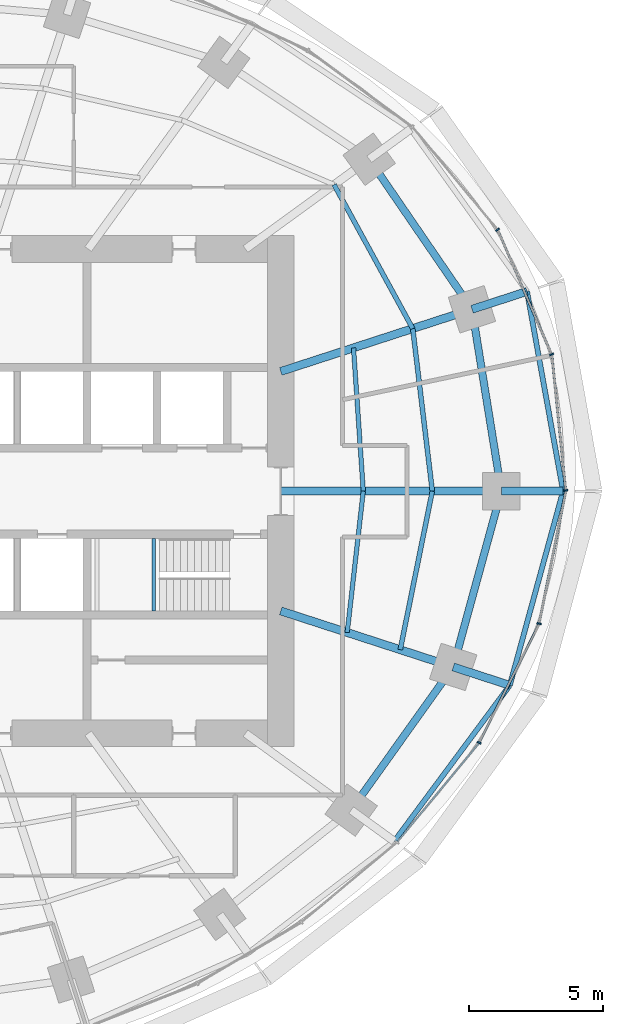
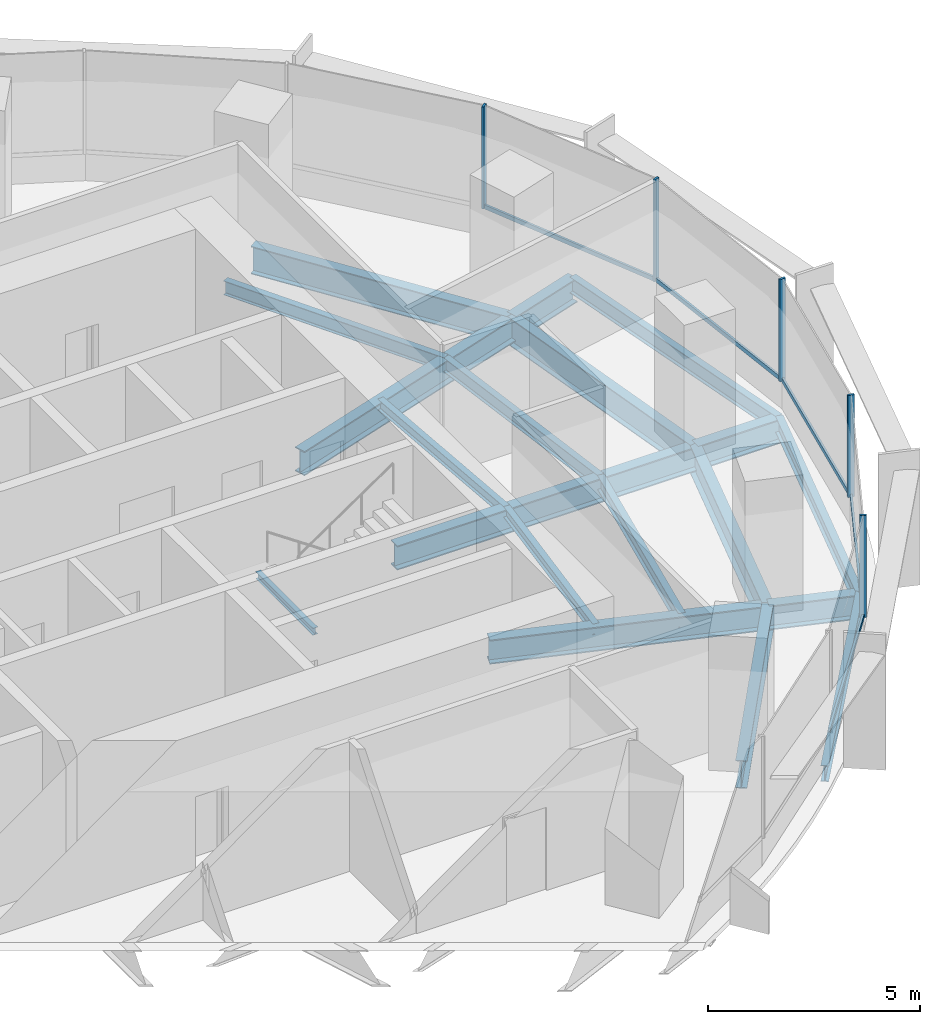
# One storey, part 6 of 15: 19 beams, 10 members, 2 elements without a shape of their own.
"""IFC4 building model written with IfcOpenShell, lengths in metres."""

from ifc_helpers import new_model, si_unit, direction, frame, origin, origin_2d, place, context, subcontext, project, spatial, rectangle, i_section, extrude, material, material_profile, profile_set, type_object, element, aggregate, save


model = new_model("IFC4")

# Units and contexts
model_context = context("Model", 3, precision=1e-05, world=origin(), true_north=direction((0.0, 1.0)))
body_context = subcontext(model_context, "Body", "Model", "MODEL_VIEW")
ifc_project = project(units=[si_unit("LENGTHUNIT", "METRE"), si_unit("AREAUNIT", "SQUARE_METRE"), si_unit("VOLUMEUNIT", "CUBIC_METRE"), si_unit("PLANEANGLEUNIT", "RADIAN"), si_unit("MASSUNIT", "GRAM", prefix="KILO")], contexts=[model_context])

# Site, building, storey
site_placement = place(None, origin())
site = spatial("IfcSite", under=ifc_project, at=site_placement, CompositionType="ELEMENT")
building_placement = place(site_placement, origin())
building = spatial("IfcBuilding", under=site, at=building_placement, Name="Marramba Exchange Tower", CompositionType="ELEMENT")
storey_placement = place(building_placement, frame((0.0, 0.0, 226.699951171875)))
storey = spatial("IfcBuildingStorey", under=building, at=storey_placement, Name="L55", CompositionType="ELEMENT", Elevation=226.699951171875)

# Beams
ifc_material_1 = material(Name="Steel AS/NZS 3679.2 grade 300", Category="steel")
ifc_material_profile_1 = material_profile(ifc_material_1, i_section(OverallWidth=0.300048828125, OverallDepth=0.699951171875, WebThickness=0.010009765625, FlangeThickness=0.031982421875, at=origin_2d()), Name="700WB173")
ifc_profile_set_1 = profile_set([ifc_material_profile_1], Name="Steel AS/NZS 3679.2 grade 300")
beam_type_1 = type_object("IfcBeamType", Name="Cantilever girder 700WB173", PredefinedType="BEAM", material=ifc_profile_set_1)
beam_1_placement = place(storey_placement, frame((21.89990234375, 0.0, -0.510009765625), z_axis=(1.0, 0.0, 0.0), x_axis=(0.0, 1.0, 0.0)))
element("IfcBeam", 1, at=beam_1_placement, inside=storey, type_object=beam_type_1, Name="Cantilever girder L55 TC01", PredefinedType="BEAM", context=body_context, shape_type="SweptSolid", body=[
    extrude(i_section(OverallWidth=0.300048828125, OverallDepth=0.699951171875, WebThickness=0.010009765625, FlangeThickness=0.031982421875, at=origin_2d()), origin(), (0.0, 0.0, 1.0), 2.294189453125),
])
beam_2_placement = place(storey_placement, frame((20.808349609375, 6.760986328125, -0.510009765625), z_axis=(0.951051587859, 0.309032162129, 0.0), x_axis=(-0.309032162129, 0.951051587859, 0.0)))
element("IfcBeam", 2, at=beam_2_placement, inside=storey, type_object=beam_type_1, Name="Cantilever girder L55 TC02", PredefinedType="BEAM", context=body_context, shape_type="SweptSolid", body=[
    extrude(i_section(OverallWidth=0.300048828125, OverallDepth=0.699951171875, WebThickness=0.010009765625, FlangeThickness=0.031982421875, at=origin_2d()), origin(), (0.0, 0.0, 1.0), 2.150390625),
])
beam_3_placement = place(storey_placement, frame((20.109375, -6.533935546875, -0.510009765625), z_axis=(0.951050283347, -0.309036176758, 0.0), x_axis=(0.309036176758, 0.951050283347, 0.0)))
element("IfcBeam", 3, at=beam_3_placement, inside=storey, type_object=beam_type_1, Name="Cantilever girder L55 TC20", PredefinedType="BEAM", context=body_context, shape_type="SweptSolid", body=[
    extrude(i_section(OverallWidth=0.300048828125, OverallDepth=0.699951171875, WebThickness=0.010009765625, FlangeThickness=0.031982421875, at=origin_2d()), origin(), (0.0, 0.0, 1.0), 2.212890625),
])
ifc_material_2 = material(Name="Steel AS/NZS 3679.1 grade 300", Category="steel")
ifc_material_profile_2 = material_profile(ifc_material_2, i_section(OverallWidth=0.166015625, OverallDepth=0.306884765625, WebThickness=0.006591796875, FlangeThickness=0.01171875, FilletRadius=0.011474609375, at=origin_2d()), Name="310UB46.2")
ifc_profile_set_2 = profile_set([ifc_material_profile_2], Name="Steel AS/NZS 3679.1 grade 300")
beam_type_2 = type_object("IfcBeamType", Name="Floor joist 310UB46.2", PredefinedType="JOIST", material=ifc_profile_set_2)
beam_4_placement = place(storey_placement, frame((16.7666015625, 0.0, -0.3134765625), z_axis=(-0.068096259546, 0.99767875563, 0.0), x_axis=(-0.99767875563, -0.068096259546, 0.0)))
element("IfcBeam", 4, at=beam_4_placement, inside=storey, type_object=beam_type_2, Name="Joist L55 bay 01 row 1", PredefinedType="JOIST", context=body_context, shape_type="SweptSolid", body=[
    extrude(i_section(OverallWidth=0.166015625, OverallDepth=0.306884765625, WebThickness=0.006591796875, FlangeThickness=0.01171875, FilletRadius=0.011474609375, at=origin_2d()), origin(), (0.0, 0.0, 1.0), 5.342041015625),
])
beam_5_placement = place(storey_placement, frame((16.169677734375, -5.25390625, -0.3134765625), z_axis=(0.112888968594, 0.993607609054, 0.0), x_axis=(-0.993607609054, 0.112888968594, 0.0)))
element("IfcBeam", 5, at=beam_5_placement, inside=storey, type_object=beam_type_2, Name="Joist L55 bay 20 row 1", PredefinedType="JOIST", context=body_context, shape_type="SweptSolid", body=[
    extrude(i_section(OverallWidth=0.166015625, OverallDepth=0.306884765625, WebThickness=0.006591796875, FlangeThickness=0.01171875, FilletRadius=0.011474609375, at=origin_2d()), origin(), (0.0, 0.0, 1.0), 5.28759765625),
])
ifc_material_profile_3 = material_profile(ifc_material_2, i_section(OverallWidth=0.177978515625, OverallDepth=0.406005859375, WebThickness=0.0078125, FlangeThickness=0.0126953125, FilletRadius=0.011474609375, at=origin_2d()), Name="410UB59.7")
ifc_profile_set_3 = profile_set([ifc_material_profile_3], Name="Steel AS/NZS 3679.1 grade 300")
beam_type_3 = type_object("IfcBeamType", Name="Floor joist 410UB59.7", PredefinedType="JOIST", material=ifc_profile_set_3)
beam_6_placement = place(storey_placement, frame((19.333251953125, 0.0, -0.363037109375), z_axis=(-0.119523078538, 0.992831422597, 0.0), x_axis=(-0.992831422597, -0.119523078538, 0.0)))
element("IfcBeam", 6, at=beam_6_placement, inside=storey, type_object=beam_type_3, Name="Joist L55 bay 01 row 2", PredefinedType="JOIST", context=body_context, shape_type="SweptSolid", body=[
    extrude(i_section(OverallWidth=0.177978515625, OverallDepth=0.406005859375, WebThickness=0.0078125, FlangeThickness=0.0126953125, FilletRadius=0.011474609375, at=origin_2d()), origin(), (0.0, 0.0, 1.0), 6.089111328125),
])
beam_7_placement = place(storey_placement, frame((18.60546875, 6.04541015625, -0.363037109375), z_axis=(-0.479584443791, 0.877495732909, 0.0), x_axis=(-0.877495732909, -0.479584443791, 0.0)))
element("IfcBeam", 7, at=beam_7_placement, inside=storey, type_object=beam_type_3, Name="Joist L55 bay 02 row 2", PredefinedType="JOIST", context=body_context, shape_type="SweptSolid", body=[
    extrude(i_section(OverallWidth=0.177978515625, OverallDepth=0.406005859375, WebThickness=0.0078125, FlangeThickness=0.0126953125, FilletRadius=0.011474609375, at=origin_2d()), origin(), (0.0, 0.0, 1.0), 6.094970703125),
])
beam_8_placement = place(storey_placement, frame((18.1396484375, -5.893798828125, -0.363037109375), z_axis=(0.198489047047, 0.980103105904, 0.0), x_axis=(-0.980103105904, 0.198489047047, 0.0)))
element("IfcBeam", 8, at=beam_8_placement, inside=storey, type_object=beam_type_3, Name="Joist L55 bay 20 row 2", PredefinedType="JOIST", context=body_context, shape_type="SweptSolid", body=[
    extrude(i_section(OverallWidth=0.177978515625, OverallDepth=0.406005859375, WebThickness=0.0078125, FlangeThickness=0.0126953125, FilletRadius=0.011474609375, at=origin_2d()), origin(), (0.0, 0.0, 1.0), 6.013427734375),
])

# Curtain wall, members
ifc_material_3 = material(Name="Aluminium framing, bronze anodised", Category="aluminium")
curtain_wall_type = type_object("IfcCurtainWallType", Name="Office ribbon curtain wall", PredefinedType="USERDEFINED", material=ifc_material_3)
curtain_wall_1_placement = place(storey_placement, origin())
curtain_wall_1 = element("IfcCurtainWall", 9, at=curtain_wall_1_placement, inside=storey, type_object=curtain_wall_type, Name="Curtain wall CW4 L55 F01-F05", ObjectType="RIBBON CURTAIN WALL", PredefinedType="USERDEFINED")
ifc_material_4 = material(Name="Aluminium mullion, bronze anodised", Category="aluminium")
ifc_material_profile_4 = material_profile(ifc_material_4, rectangle(XDim=0.159912109375, YDim=0.06005859375, at=origin_2d()), Name="CW4 mullion 60x160")
ifc_profile_set_4 = profile_set([ifc_material_profile_4], Name="Aluminium mullion, bronze anodised")
member_type_1 = type_object("IfcMemberType", Name="Office ribbon curtain wall mullion", PredefinedType="MULLION", material=ifc_profile_set_4)
member_1_placement = place(storey_placement, frame((24.291015625, 0.02978515625, 0.800048828125), z_axis=(0.0, 0.0, 1.0), x_axis=(-0.994843446001, -0.101422472607, 0.0)))
member_1 = element("IfcMember", 10, at=member_1_placement, type_object=member_type_1, Name="CW4 mullion 1", PredefinedType="MULLION", context=body_context, shape_type="SweptSolid", body=[
    extrude(rectangle(XDim=0.159912109375, YDim=0.06005859375, at=origin_2d()), origin(), (0.0, 0.0, 1.0), 2.93994140625),
])
member_2_placement = place(storey_placement, frame((23.766845703125, 5.081787109375, 0.800048828125), z_axis=(0.0, 0.0, 1.0), x_axis=(-0.918167104527, -0.396193346946, 0.0)))
member_2 = element("IfcMember", 11, at=member_2_placement, type_object=member_type_1, Name="CW4 mullion 1", PredefinedType="MULLION", context=body_context, shape_type="SweptSolid", body=[
    extrude(rectangle(XDim=0.159912109375, YDim=0.06005859375, at=origin_2d()), origin(), (0.0, 0.0, 1.0), 2.93994140625),
])
member_3_placement = place(storey_placement, frame((21.757080078125, 9.718505859375, 0.800048828125), z_axis=(0.0, 0.0, 1.0), x_axis=(-0.770574258342, -0.637350227411, 0.0)))
member_3 = element("IfcMember", 12, at=member_3_placement, type_object=member_type_1, Name="CW4 mullion 1", PredefinedType="MULLION", context=body_context, shape_type="SweptSolid", body=[
    extrude(rectangle(XDim=0.159912109375, YDim=0.06005859375, at=origin_2d()), origin(), (0.0, 0.0, 1.0), 2.93994140625),
])

curtain_wall_2_placement = place(storey_placement, origin())
curtain_wall_2 = element("IfcCurtainWall", 13, at=curtain_wall_2_placement, inside=storey, type_object=curtain_wall_type, Name="Curtain wall CW4 L55 F26-F30", ObjectType="RIBBON CURTAIN WALL", PredefinedType="USERDEFINED")
member_4_placement = place(storey_placement, frame((21.07568359375, -9.3505859375, 0.800048828125), z_axis=(0.0, 0.0, 1.0), x_axis=(-0.892689067591, 0.450673083956, 0.0)))
member_4 = element("IfcMember", 14, at=member_4_placement, type_object=member_type_1, Name="CW4 mullion 1", PredefinedType="MULLION", context=body_context, shape_type="SweptSolid", body=[
    extrude(rectangle(XDim=0.159912109375, YDim=0.06005859375, at=origin_2d()), origin(), (0.0, 0.0, 1.0), 2.93994140625),
])
member_5_placement = place(storey_placement, frame((23.30224609375, -4.92236328125, 0.800048828125), z_axis=(0.0, 0.0, 1.0), x_axis=(-0.980303812539, 0.197495405316, 0.0)))
member_5 = element("IfcMember", 15, at=member_5_placement, type_object=member_type_1, Name="CW4 mullion 1", PredefinedType="MULLION", context=body_context, shape_type="SweptSolid", body=[
    extrude(rectangle(XDim=0.159912109375, YDim=0.06005859375, at=origin_2d()), origin(), (0.0, 0.0, 1.0), 2.93994140625),
])

# Member
ifc_material_5 = material(Name="Aluminium transom, bronze anodised", Category="aluminium")
ifc_material_profile_5 = material_profile(ifc_material_5, rectangle(XDim=0.06005859375, YDim=0.1201171875, at=origin_2d()), Name="CW4 transom 60x120")
ifc_profile_set_5 = profile_set([ifc_material_profile_5], Name="Aluminium transom, bronze anodised")
member_type_2 = type_object("IfcMemberType", Name="Office ribbon curtain wall transom", PredefinedType="USERDEFINED", material=ifc_profile_set_5)
member_6_placement = place(storey_placement, frame((24.287841796875, 0.0595703125, 0.830078125), z_axis=(-0.101386007846, 0.994847162841, 0.0), x_axis=(-0.994847162841, -0.101386007846, 0.0)))
member_6 = element("IfcMember", 16, at=member_6_placement, type_object=member_type_2, Name="CW4 sill transom", ObjectType="TRANSOM", PredefinedType="USERDEFINED", context=body_context, shape_type="SweptSolid", body=[
    extrude(rectangle(XDim=0.06005859375, YDim=0.1201171875, at=origin_2d()), origin(), (0.0, 0.0, 1.0), 5.020751953125),
])

member_7_placement = place(storey_placement, frame((23.7548828125, 5.109375, 0.830078125), z_axis=(-0.396177573744, 0.918173910576, 0.0), x_axis=(-0.918173910576, -0.396177573744, 0.0)))
member_7 = element("IfcMember", 17, at=member_7_placement, type_object=member_type_2, Name="CW4 sill transom", ObjectType="TRANSOM", PredefinedType="USERDEFINED", context=body_context, shape_type="SweptSolid", body=[
    extrude(rectangle(XDim=0.06005859375, YDim=0.1201171875, at=origin_2d()), origin(), (0.0, 0.0, 1.0), 4.99462890625),
])

aggregate(curtain_wall_1, [member_1, member_6, member_2, member_7, member_3])

member_8_placement = place(storey_placement, frame((18.03515625, -13.029296875, 0.830078125), z_axis=(0.638146908901, 0.76991462037, 0.0), x_axis=(-0.76991462037, 0.638146908901, 0.0)))
member_8 = element("IfcMember", 18, at=member_8_placement, type_object=member_type_2, Name="CW4 sill transom", ObjectType="TRANSOM", PredefinedType="USERDEFINED", context=body_context, shape_type="SweptSolid", body=[
    extrude(rectangle(XDim=0.06005859375, YDim=0.1201171875, at=origin_2d()), origin(), (0.0, 0.0, 1.0), 4.7431640625),
])

member_9_placement = place(storey_placement, frame((21.089111328125, -9.323974609375, 0.830078125), z_axis=(0.450679681949, 0.892685736572, 0.0), x_axis=(-0.892685736572, 0.450679681949, 0.0)))
member_9 = element("IfcMember", 19, at=member_9_placement, type_object=member_type_2, Name="CW4 sill transom", ObjectType="TRANSOM", PredefinedType="USERDEFINED", context=body_context, shape_type="SweptSolid", body=[
    extrude(rectangle(XDim=0.06005859375, YDim=0.1201171875, at=origin_2d()), origin(), (0.0, 0.0, 1.0), 4.897705078125),
])

member_10_placement = place(storey_placement, frame((23.308349609375, -4.89306640625, 0.830078125), z_axis=(0.197461053167, 0.980310732616, 0.0), x_axis=(-0.980310732616, 0.197461053167, 0.0)))
member_10 = element("IfcMember", 20, at=member_10_placement, type_object=member_type_2, Name="CW4 sill transom", ObjectType="TRANSOM", PredefinedType="USERDEFINED", context=body_context, shape_type="SweptSolid", body=[
    extrude(rectangle(XDim=0.06005859375, YDim=0.1201171875, at=origin_2d()), origin(), (0.0, 0.0, 1.0), 4.991455078125),
])

aggregate(curtain_wall_2, [member_8, member_4, member_9, member_5, member_10])

# Beams
ifc_material_profile_6 = material_profile(ifc_material_1, i_section(OverallWidth=0.300048828125, OverallDepth=0.699951171875, WebThickness=0.010009765625, FlangeThickness=0.031982421875, at=origin_2d()), Name="700WB173")
ifc_profile_set_6 = profile_set([ifc_material_profile_6], Name="Steel AS/NZS 3679.2 grade 300")
beam_type_4 = type_object("IfcBeamType", Name="Radial girder 700WB173", PredefinedType="BEAM", material=ifc_profile_set_6)
beam_9_placement = place(storey_placement, frame((13.699951171875, 0.0, -0.510009765625), z_axis=(1.0, 0.0, 0.0), x_axis=(0.0, 1.0, 0.0)))
element("IfcBeam", 21, at=beam_9_placement, inside=storey, type_object=beam_type_4, Name="Radial girder L55 TC01", PredefinedType="BEAM", context=body_context, shape_type="SweptSolid", body=[
    extrude(i_section(OverallWidth=0.300048828125, OverallDepth=0.699951171875, WebThickness=0.010009765625, FlangeThickness=0.031982421875, at=origin_2d()), origin(), (0.0, 0.0, 1.0), 8.199951171875),
])
beam_10_placement = place(storey_placement, frame((13.699951171875, 4.451416015625, -0.510009765625), z_axis=(0.951059990189, 0.309006302624, 0.0), x_axis=(-0.309006302624, 0.951059990189, 0.0)))
element("IfcBeam", 22, at=beam_10_placement, inside=storey, type_object=beam_type_4, Name="Radial girder L55 TC02", PredefinedType="BEAM", context=body_context, shape_type="SweptSolid", body=[
    extrude(i_section(OverallWidth=0.300048828125, OverallDepth=0.699951171875, WebThickness=0.010009765625, FlangeThickness=0.031982421875, at=origin_2d()), origin(), (0.0, 0.0, 1.0), 7.47412109375),
])
beam_11_placement = place(storey_placement, frame((13.699951171875, -4.451416015625, -0.510009765625), z_axis=(0.951057759669, -0.309013167637, 0.0), x_axis=(0.309013167637, 0.951057759669, 0.0)))
element("IfcBeam", 23, at=beam_11_placement, inside=storey, type_object=beam_type_4, Name="Radial girder L55 TC20", PredefinedType="BEAM", context=body_context, shape_type="SweptSolid", body=[
    extrude(i_section(OverallWidth=0.300048828125, OverallDepth=0.699951171875, WebThickness=0.010009765625, FlangeThickness=0.031982421875, at=origin_2d()), origin(), (0.0, 0.0, 1.0), 6.7392578125),
])
ifc_material_profile_7 = material_profile(ifc_material_1, i_section(OverallWidth=0.27490234375, OverallDepth=0.800048828125, WebThickness=0.010009765625, FlangeThickness=0.02490234375, at=origin_2d()), Name="800WB168")
ifc_profile_set_7 = profile_set([ifc_material_profile_7], Name="Steel AS/NZS 3679.2 grade 300")
beam_type_5 = type_object("IfcBeamType", Name="Ring beam 800WB168", PredefinedType="SPANDREL", material=ifc_profile_set_7)
beam_12_placement = place(storey_placement, frame((21.89990234375, 0.0, -0.56005859375), z_axis=(-0.159384865399, 0.987216523708, 0.0), x_axis=(-0.987216523708, -0.159384865399, 0.0)))
element("IfcBeam", 24, at=beam_12_placement, inside=storey, type_object=beam_type_5, Name="Ring beam L55 TC01-TC02", PredefinedType="SPANDREL", context=body_context, shape_type="SweptSolid", body=[
    extrude(i_section(OverallWidth=0.27490234375, OverallDepth=0.800048828125, WebThickness=0.010009765625, FlangeThickness=0.02490234375, at=origin_2d()), origin(), (0.0, 0.0, 1.0), 6.8486328125),
])
beam_13_placement = place(storey_placement, frame((20.808349609375, 6.760986328125, -0.56005859375), z_axis=(-0.56516002054, 0.824981303535, 0.0), x_axis=(-0.824981303535, -0.56516002054, 0.0)))
element("IfcBeam", 25, at=beam_13_placement, inside=storey, type_object=beam_type_5, Name="Ring beam L55 TC02-TC03", PredefinedType="SPANDREL", context=body_context, shape_type="SweptSolid", body=[
    extrude(i_section(OverallWidth=0.27490234375, OverallDepth=0.800048828125, WebThickness=0.010009765625, FlangeThickness=0.02490234375, at=origin_2d()), origin(), (0.0, 0.0, 1.0), 6.763671875),
])
beam_14_placement = place(storey_placement, frame((16.3154296875, -11.853759765625, -0.56005859375), z_axis=(0.580637181111, 0.814162430914, 0.0), x_axis=(-0.814162430914, 0.580637181111, 0.0)))
element("IfcBeam", 26, at=beam_14_placement, inside=storey, type_object=beam_type_5, Name="Ring beam L55 TC19-TC20", PredefinedType="SPANDREL", context=body_context, shape_type="SweptSolid", body=[
    extrude(i_section(OverallWidth=0.27490234375, OverallDepth=0.800048828125, WebThickness=0.010009765625, FlangeThickness=0.02490234375, at=origin_2d()), origin(), (0.0, 0.0, 1.0), 6.5341796875),
])
beam_15_placement = place(storey_placement, frame((20.109375, -6.533935546875, -0.56005859375), z_axis=(0.264291166956, 0.964442937176, 0.0), x_axis=(-0.964442937176, 0.264291166956, 0.0)))
element("IfcBeam", 27, at=beam_15_placement, inside=storey, type_object=beam_type_5, Name="Ring beam L55 TC20-TC01", PredefinedType="SPANDREL", context=body_context, shape_type="SweptSolid", body=[
    extrude(i_section(OverallWidth=0.27490234375, OverallDepth=0.800048828125, WebThickness=0.010009765625, FlangeThickness=0.02490234375, at=origin_2d()), origin(), (0.0, 0.0, 1.0), 6.77490234375),
])
ifc_material_profile_8 = material_profile(ifc_material_2, i_section(OverallWidth=0.19091796875, OverallDepth=0.4599609375, WebThickness=0.010009765625, FlangeThickness=0.01611328125, FilletRadius=0.011474609375, at=origin_2d()), Name="460UB82.1")
ifc_profile_set_8 = profile_set([ifc_material_profile_8], Name="Steel AS/NZS 3679.1 grade 300")
beam_type_6 = type_object("IfcBeamType", Name="Slab edge beam 460UB82.1", PredefinedType="SPANDREL", material=ifc_profile_set_8)
beam_16_placement = place(storey_placement, frame((24.194091796875, 0.0, -0.389892578125), z_axis=(-0.177663817107, 0.984091239719, 0.0), x_axis=(-0.984091239719, -0.177663817107, 0.0)))
element("IfcBeam", 28, at=beam_16_placement, inside=storey, type_object=beam_type_6, Name="Slab edge beam L55 TC01-TC02", PredefinedType="SPANDREL", context=body_context, shape_type="SweptSolid", body=[
    extrude(i_section(OverallWidth=0.19091796875, OverallDepth=0.4599609375, WebThickness=0.010009765625, FlangeThickness=0.01611328125, FilletRadius=0.011474609375, at=origin_2d()), origin(), (0.0, 0.0, 1.0), 7.545654296875),
])
beam_17_placement = place(storey_placement, frame((17.916015625, -13.016845703125, -0.389892578125), z_axis=(0.595428136035, 0.803408572781, 0.0), x_axis=(-0.803408572781, 0.595428136035, 0.0)))
element("IfcBeam", 29, at=beam_17_placement, inside=storey, type_object=beam_type_6, Name="Slab edge beam L55 TC19-TC20", PredefinedType="SPANDREL", context=body_context, shape_type="SweptSolid", body=[
    extrude(i_section(OverallWidth=0.19091796875, OverallDepth=0.4599609375, WebThickness=0.010009765625, FlangeThickness=0.01611328125, FilletRadius=0.011474609375, at=origin_2d()), origin(), (0.0, 0.0, 1.0), 7.218017578125),
])
beam_18_placement = place(storey_placement, frame((22.2138671875, -7.2177734375, -0.389892578125), z_axis=(0.264577205901, 0.964364506874, 0.0), x_axis=(-0.964364506874, 0.264577205901, 0.0)))
element("IfcBeam", 30, at=beam_18_placement, inside=storey, type_object=beam_type_6, Name="Slab edge beam L55 TC20-TC01", PredefinedType="SPANDREL", context=body_context, shape_type="SweptSolid", body=[
    extrude(i_section(OverallWidth=0.19091796875, OverallDepth=0.4599609375, WebThickness=0.010009765625, FlangeThickness=0.01611328125, FilletRadius=0.011474609375, at=origin_2d()), origin(), (0.0, 0.0, 1.0), 7.484375),
])
ifc_material_profile_9 = material_profile(ifc_material_2, i_section(OverallWidth=0.133056640625, OverallDepth=0.202880859375, WebThickness=0.005859375, FlangeThickness=0.0078125, FilletRadius=0.0087890625, at=origin_2d()), Name="200UB25.4")
ifc_profile_set_9 = profile_set([ifc_material_profile_9], Name="Steel AS/NZS 3679.1 grade 300")
beam_type_7 = type_object("IfcBeamType", Name="Stair landing beam 200UB25.4", PredefinedType="BEAM", material=ifc_profile_set_9)
beam_19_placement = place(storey_placement, frame((8.9833984375, -4.449951171875, 1.6484375), z_axis=(0.0, 1.0, 0.0), x_axis=(-1.0, 0.0, 0.0)))
element("IfcBeam", 31, at=beam_19_placement, inside=storey, type_object=beam_type_7, Name="Stair landing beam SLB1 ST2 L55 2", PredefinedType="BEAM", context=body_context, shape_type="SweptSolid", body=[
    extrude(i_section(OverallWidth=0.133056640625, OverallDepth=0.202880859375, WebThickness=0.005859375, FlangeThickness=0.0078125, FilletRadius=0.0087890625, at=origin_2d()), origin(), (0.0, 0.0, 1.0), 2.699951171875),
])

save(model, "model.ifc")
